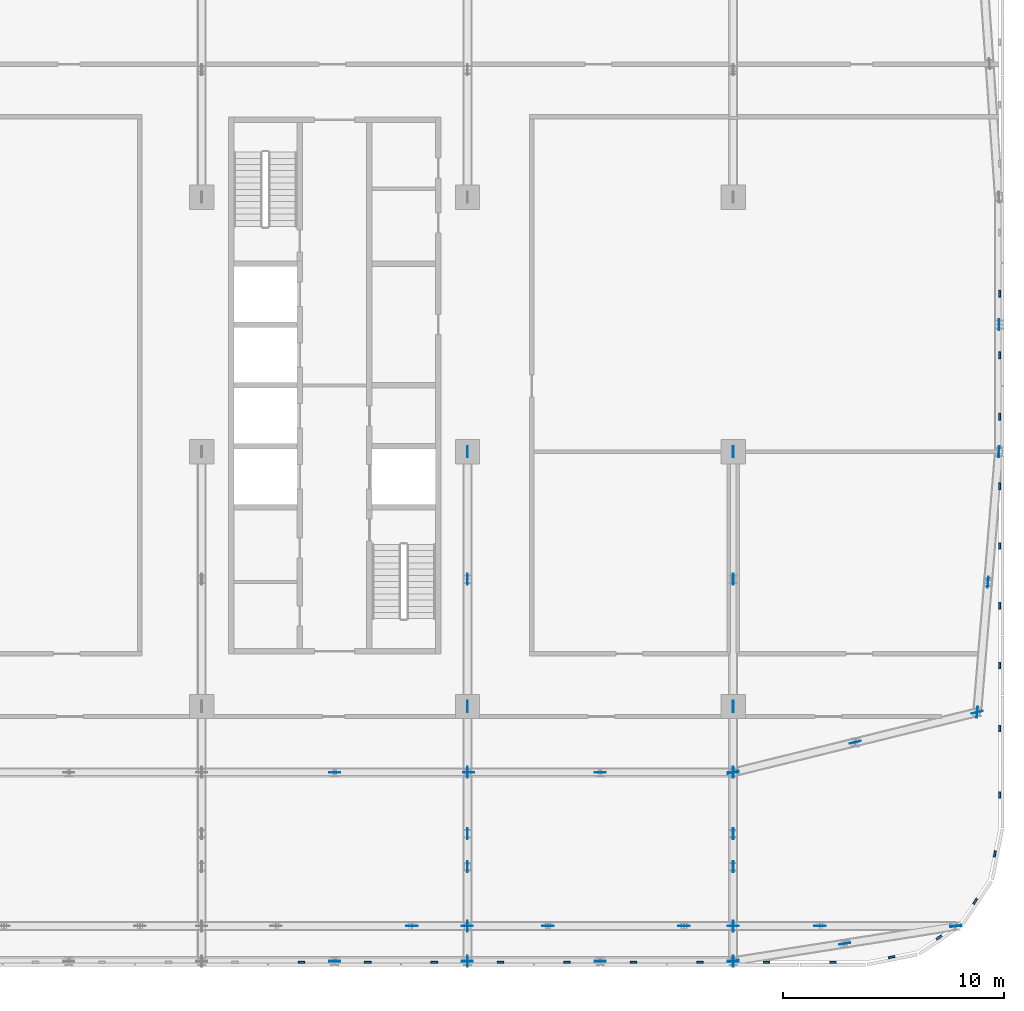
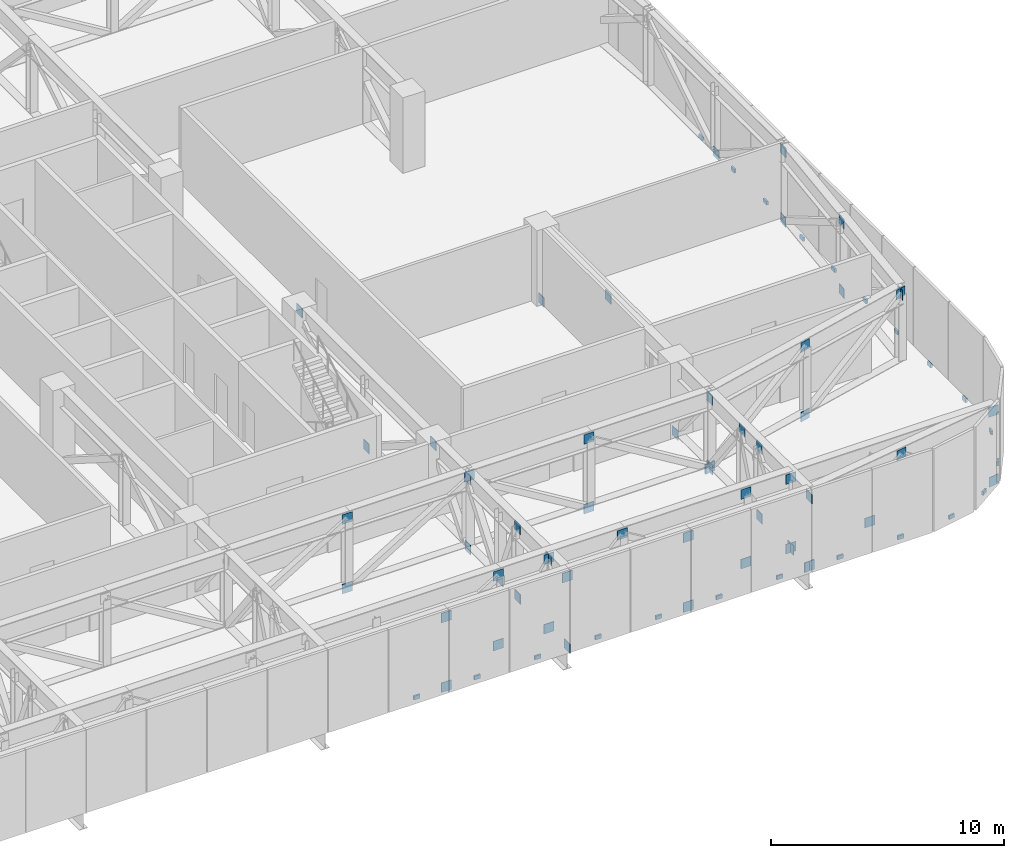
# One storey, part 21 of 28: 78 discrete accessories.
"""IFC4 building model written with IfcOpenShell, lengths in metres."""

from ifc_helpers import new_model, si_unit, direction, frame, origin, origin_2d, place, context, subcontext, project, spatial, rectangle, extrude, material, layer, layer_set, type_object, element, save


model = new_model("IFC4")

# Units and contexts
model_context = context("Model", 3, precision=1e-05, world=origin(), true_north=direction((0.0, 1.0)))
body_context = subcontext(model_context, "Body", "Model", "MODEL_VIEW")
ifc_project = project(units=[si_unit("LENGTHUNIT", "METRE"), si_unit("AREAUNIT", "SQUARE_METRE"), si_unit("VOLUMEUNIT", "CUBIC_METRE"), si_unit("PLANEANGLEUNIT", "RADIAN"), si_unit("MASSUNIT", "GRAM", prefix="KILO")], contexts=[model_context])

# Site, building, storey
site_placement = place(None, origin())
site = spatial("IfcSite", under=ifc_project, at=site_placement, CompositionType="ELEMENT")
building_placement = place(site_placement, origin())
building = spatial("IfcBuilding", under=site, at=building_placement, Name="Mahtab Terrace Research Tower", CompositionType="ELEMENT")
storey_placement = place(building_placement, frame((0.0, 0.0, 224.300048828125)))
storey = spatial("IfcBuildingStorey", under=building, at=storey_placement, Name="L54", CompositionType="ELEMENT", Elevation=224.300048828125)

# Discrete accessories
ifc_material_1 = material(Name="Black anodised aluminium", Category="aluminium")
discrete_accessory_type_1 = type_object("IfcDiscreteAccessoryType", Name="Facade bracket", PredefinedType="BRACKET", material=ifc_material_1)
for number, where, z_axis, x_axis, name in (
    (1, (22.5, -23.044921875, -0.2998046875), (0.0, 0.0, 1.0), (1.0, 0.0, 0.0), "Louvre bracket L54 74"),
    (2, (25.5, -23.044921875, -0.2998046875), (0.0, 0.0, 1.0), (1.0, 0.0, 0.0), "Louvre bracket L54 75"),
    (3, (28.5, -23.044921875, -0.2998046875), (0.0, 0.0, 1.0), (1.0, 0.0, 0.0), "Louvre bracket L54 76"),
    (4, (31.5, -23.044921875, -0.2998046875), (0.0, 0.0, 1.0), (1.0, 0.0, 0.0), "Louvre bracket L54 77"),
    (5, (34.5, -23.044921875, -0.2998046875), (0.0, 0.0, 1.0), (1.0, 0.0, 0.0), "Louvre bracket L54 78"),
    (6, (37.5, -23.044921875, -0.2998046875), (0.0, 0.0, 1.0), (1.0, 0.0, 0.0), "Louvre bracket L54 79"),
    (7, (40.5, -23.044921875, -0.2998046875), (0.0, 0.0, 1.0), (1.0, 0.0, 0.0), "Louvre bracket L54 80"),
    (8, (43.5, -23.044921875, -0.2998046875), (0.0, 0.0, 1.0), (1.0, 0.0, 0.0), "Louvre bracket L54 81"),
    (9, (46.5, -23.044921875, -0.2998046875), (0.0, 0.0, 1.0), (1.0, 0.0, 0.0), "Louvre bracket L54 82"),
    (10, (49.15673828125, -22.815673828125, -0.2998046875), (0.0, 0.0, 1.0), (0.980760981187, 0.195212442692, 0.0), "Louvre bracket L54 83"),
    (11, (51.29443359375, -21.930419921875, -0.2998046875), (0.0, 0.0, 1.0), (0.831655794326, 0.555291490808, 0.0), "Louvre bracket L54 84"),
    (12, (52.930419921875, -20.29443359375, -0.2998046875), (0.0, 0.0, 1.0), (0.555291490808, 0.831655794326, 0.0), "Louvre bracket L54 85"),
    (13, (53.815673828125, -18.15673828125, -0.2998046875), (0.0, 0.0, 1.0), (0.195212442692, 0.980760981187, 0.0), "Louvre bracket L54 86"),
    (14, (54.044921875, -15.5, -0.2998046875), (0.0, 0.0, 1.0), (0.0, 1.0, 0.0), "Louvre bracket L54 87"),
    (15, (54.044921875, -12.5, -0.2998046875), (0.0, 0.0, 1.0), (0.0, 1.0, 0.0), "Louvre bracket L54 88"),
    (16, (54.044921875, -9.64990234375, -0.2998046875), (0.0, 0.0, 1.0), (0.0, 1.0, 0.0), "Louvre bracket L54 89"),
    (17, (54.044921875, -6.949951171875, -0.2998046875), (0.0, 0.0, 1.0), (0.0, 1.0, 0.0), "Louvre bracket L54 90"),
    (18, (54.044921875, -4.25, -0.2998046875), (0.0, 0.0, 1.0), (0.0, 1.0, 0.0), "Louvre bracket L54 91"),
    (19, (54.044921875, -1.550048828125, -0.2998046875), (0.0, 0.0, 1.0), (0.0, 1.0, 0.0), "Louvre bracket L54 92"),
    (20, (54.044921875, 1.58740234375, -0.2998046875), (0.0, 0.0, 1.0), (0.0, 1.0, 0.0), "Louvre bracket L54 93"),
    (21, (54.044921875, 4.362548828125, -0.2998046875), (0.0, 0.0, 1.0), (0.0, 1.0, 0.0), "Louvre bracket L54 94"),
    (22, (54.044921875, 7.137451171875, -0.2998046875), (0.0, 0.0, 1.0), (0.0, 1.0, 0.0), "Louvre bracket L54 95"),
):
    element("IfcDiscreteAccessory", number, at=place(storey_placement, frame(where, z_axis=z_axis, x_axis=x_axis)), inside=storey, type_object=discrete_accessory_type_1, Name=name, PredefinedType="BRACKET", context=body_context, shape_type="SweptSolid", body=[
        extrude(rectangle(XDim=0.300048828125, YDim=0.090087890625, at=origin_2d()), origin(), (0.0, 0.0, 1.0), 0.199951171875),
    ])
ifc_material_2 = material(Name="Steel ASTM A992 Gr 50", Category="steel")
ifc_layer = layer(ifc_material_2, 0.030029296875)
ifc_layer_set = layer_set([ifc_layer], Name="Gusset plate 500x500x30")
discrete_accessory_type_2 = type_object("IfcDiscreteAccessoryType", Name="Gusset plate 500x500x30", PredefinedType="USERDEFINED", material=ifc_layer_set)
for number, where, z_axis, x_axis, name in (
    (23, (24.0, -23.0, -0.43798828125), (0.0, 0.0, 1.0), (1.0, 0.0, 0.0), "Gusset plate"),
    (24, (24.0, -23.0, 3.20947265625), (0.0, 0.0, 1.0), (1.0, 0.0, 0.0), "Gusset plate"),
    (25, (24.0, -14.472900390625, -0.43798828125), (0.0, 0.0, 1.0), (1.0, 0.0, 0.0), "Gusset plate"),
    (26, (24.0, -14.472900390625, 3.20947265625), (0.0, 0.0, 1.0), (1.0, 0.0, 0.0), "Gusset plate"),
    (27, (27.49609375, -21.416015625, -0.43798828125), (0.0, 0.0, 1.0), (1.0, 0.0, 0.0), "Gusset plate"),
    (28, (27.49609375, -21.416015625, 3.20947265625), (0.0, 0.0, 1.0), (1.0, 0.0, 0.0), "Gusset plate"),
    (29, (30.0, -23.0, 3.20947265625), (0.0, 0.0, 1.0), (1.0, 0.0, 0.0), "Gusset plate"),
    (30, (30.0, -21.416015625, -0.43798828125), (0.0, 0.0, 1.0), (1.0, 0.0, 0.0), "Gusset plate"),
    (31, (30.0, -21.416015625, 3.20947265625), (0.0, 0.0, 1.0), (1.0, 0.0, 0.0), "Gusset plate"),
    (32, (30.06640625, -14.472900390625, 3.296142578125), (0.0, 0.0, 1.0), (1.0, 0.0, 0.0), "Gusset plate"),
    (33, (33.636962890625, -21.416015625, 3.20947265625), (0.0, 0.0, 1.0), (1.0, 0.0, 0.0), "Gusset plate"),
    (34, (36.0, -23.0, -0.43798828125), (0.0, 0.0, 1.0), (1.0, 0.0, 0.0), "Gusset plate"),
    (35, (36.0, -23.0, 3.20947265625), (0.0, 0.0, 1.0), (1.0, 0.0, 0.0), "Gusset plate"),
    (36, (36.0, -14.472900390625, -0.43798828125), (0.0, 0.0, 1.0), (1.0, 0.0, 0.0), "Gusset plate"),
    (37, (36.0, -14.472900390625, 3.20947265625), (0.0, 0.0, 1.0), (1.0, 0.0, 0.0), "Gusset plate"),
    (38, (39.779052734375, -21.416015625, -0.43798828125), (0.0, 0.0, 1.0), (1.0, 0.0, 0.0), "Gusset plate"),
    (39, (39.779052734375, -21.416015625, 3.20947265625), (0.0, 0.0, 1.0), (1.0, 0.0, 0.0), "Gusset plate"),
    (40, (42.0, -23.0, -0.43798828125), (0.0, 0.0, 1.0), (1.0, 0.0, 0.0), "Gusset plate"),
    (41, (42.0, -21.416015625, -0.43798828125), (0.0, 0.0, 1.0), (1.0, 0.0, 0.0), "Gusset plate"),
    (42, (42.0, -21.416015625, 3.20947265625), (0.0, 0.0, 1.0), (1.0, 0.0, 0.0), "Gusset plate"),
    (43, (42.0, -14.472900390625, -0.43798828125), (0.0, 0.0, 1.0), (1.0, 0.0, 0.0), "Gusset plate"),
    (44, (45.919921875, -21.416015625, -0.43798828125), (0.0, 0.0, 1.0), (1.0, 0.0, 0.0), "Gusset plate"),
    (45, (52.06201171875, -21.416015625, 3.20947265625), (0.0, 0.0, 1.0), (1.0, 0.0, 0.0), "Gusset plate"),
    (46, (42.0, -23.0, -0.43798828125), (0.0, 0.0, 1.0), (0.987835337919, 0.15550352137, 0.0), "Gusset plate"),
    (47, (47.031005859375, -22.2080078125, 3.20947265625), (0.0, 0.0, 1.0), (0.987835337919, 0.15550352137, 0.0), "Gusset plate"),
    (48, (52.06201171875, -21.416015625, -0.43798828125), (0.0, 0.0, 1.0), (0.987835337919, 0.15550352137, 0.0), "Gusset plate"),
    (49, (42.0, -14.472900390625, -0.43798828125), (0.0, 0.0, 1.0), (0.970996733432, 0.239092751175, 0.0), "Gusset plate"),
    (50, (47.510986328125, -13.115966796875, -0.43798828125), (0.0, 0.0, 1.0), (0.970946636667, 0.23929611101, 0.0), "Gusset plate"),
    (51, (47.510986328125, -13.115966796875, 3.20947265625), (0.0, 0.0, 1.0), (0.970996733432, 0.239092751175, 0.0), "Gusset plate"),
    (52, (53.02099609375, -11.758056640625, 3.20947265625), (0.0, 0.0, 1.0), (0.970946636667, 0.23929611101, 0.0), "Gusset plate"),
    (53, (53.02099609375, -11.758056640625, 3.20947265625), (0.0, 0.0, 1.0), (0.083051711927, 0.996545238886, 0.0), "Gusset plate"),
    (54, (53.510986328125, -5.87890625, -0.43798828125), (0.0, 0.0, 1.0), (0.083051711927, 0.996545238886, 0.0), "Gusset plate"),
    (55, (53.510986328125, -5.87890625, 3.20947265625), (0.0, 0.0, 1.0), (0.082895173943, 0.996558272324, 0.0), "Gusset plate"),
    (56, (54.0, 0.0, -0.43798828125), (0.0, 0.0, 1.0), (0.082895173943, 0.996558272324, 0.0), "Gusset plate"),
    (57, (30.0, -23.0, -0.43798828125), (0.0, 0.0, 1.0), (0.0, 1.0, 0.0), "Gusset plate"),
    (58, (30.0, -21.416015625, 3.20947265625), (0.0, 0.0, 1.0), (0.0, 1.0, 0.0), "Gusset plate"),
    (59, (30.0, -18.736083984375, -0.43798828125), (0.0, 0.0, 1.0), (0.0, 1.0, 0.0), "Gusset plate"),
    (60, (30.0, -18.736083984375, 3.20947265625), (0.0, 0.0, 1.0), (0.0, 1.0, 0.0), "Gusset plate"),
    (61, (30.0, -17.25, -0.43798828125), (0.0, 0.0, 1.0), (0.0, 1.0, 0.0), "Gusset plate"),
    (62, (30.0, -14.472900390625, -0.43798828125), (0.0, 0.0, 1.0), (0.0, 1.0, 0.0), "Gusset plate"),
    (63, (30.0, -14.472900390625, 3.20947265625), (0.0, 0.0, 1.0), (0.0, 1.0, 0.0), "Gusset plate"),
    (64, (30.0, -11.5, 3.20947265625), (0.0, 0.0, 1.0), (0.0, 1.0, 0.0), "Gusset plate"),
    (65, (30.0, -5.75, -0.43798828125), (0.0, 0.0, 1.0), (0.0, 1.0, 0.0), "Gusset plate"),
    (66, (30.0, 0.0, 3.20947265625), (0.0, 0.0, 1.0), (0.0, 1.0, 0.0), "Gusset plate"),
    (67, (42.0, -23.0, 3.20947265625), (0.0, 0.0, 1.0), (0.0, 1.0, 0.0), "Gusset plate"),
    (68, (42.0, -21.416015625, -0.43798828125), (0.0, 0.0, 1.0), (0.0, 1.0, 0.0), "Gusset plate"),
    (69, (42.0, -18.736083984375, -0.43798828125), (0.0, 0.0, 1.0), (0.0, 1.0, 0.0), "Gusset plate"),
    (70, (42.0, -18.736083984375, 3.20947265625), (0.0, 0.0, 1.0), (0.0, 1.0, 0.0), "Gusset plate"),
    (71, (42.0, -17.25, 3.20947265625), (0.0, 0.0, 1.0), (0.0, 1.0, 0.0), "Gusset plate"),
    (72, (42.0, -14.472900390625, -0.43798828125), (0.0, 0.0, 1.0), (0.0, 1.0, 0.0), "Gusset plate"),
    (73, (42.0, -14.472900390625, 3.20947265625), (0.0, 0.0, 1.0), (0.0, 1.0, 0.0), "Gusset plate"),
    (74, (42.0, -11.5, -0.43798828125), (0.0, 0.0, 1.0), (0.0, 1.0, 0.0), "Gusset plate"),
    (75, (42.0, -5.75, 3.20947265625), (0.0, 0.0, 1.0), (0.0, 1.0, 0.0), "Gusset plate"),
    (76, (42.0, 0.0, -0.43798828125), (0.0, 0.0, 1.0), (0.0, 1.0, 0.0), "Gusset plate"),
    (77, (54.0, 0.0, 3.20947265625), (0.0, 0.0, 1.0), (0.0, 1.0, 0.0), "Gusset plate"),
    (78, (54.0, 5.75, -0.43798828125), (0.0, 0.0, 1.0), (0.0, 1.0, 0.0), "Gusset plate"),
):
    element("IfcDiscreteAccessory", number, at=place(storey_placement, frame(where, z_axis=z_axis, x_axis=x_axis)), inside=storey, type_object=discrete_accessory_type_2, Name=name, ObjectType="GUSSET PLATE", PredefinedType="USERDEFINED", context=body_context, shape_type="SweptSolid", body=[
        extrude(rectangle(XDim=0.5, YDim=0.030029296875, at=origin_2d()), origin(), (0.0, 0.0, 1.0), 0.5),
    ])

save(model, "model.ifc")
